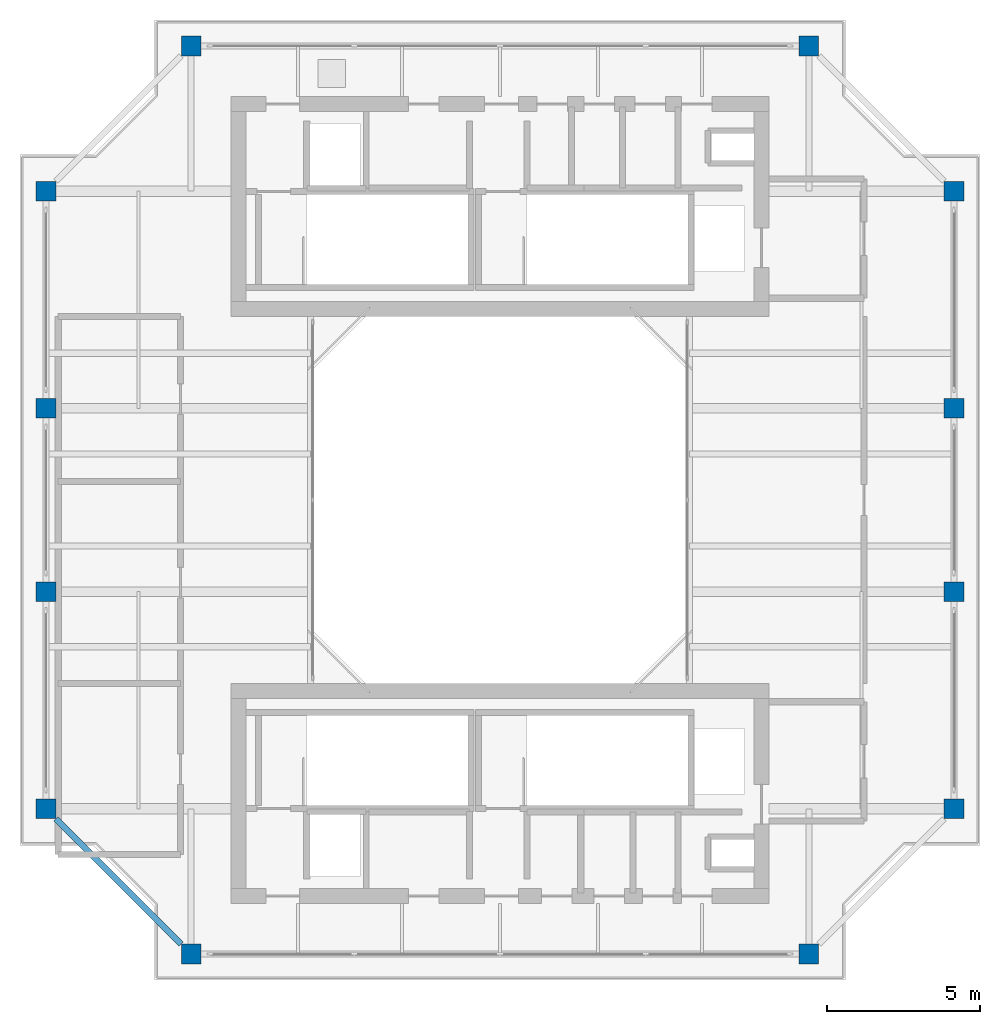
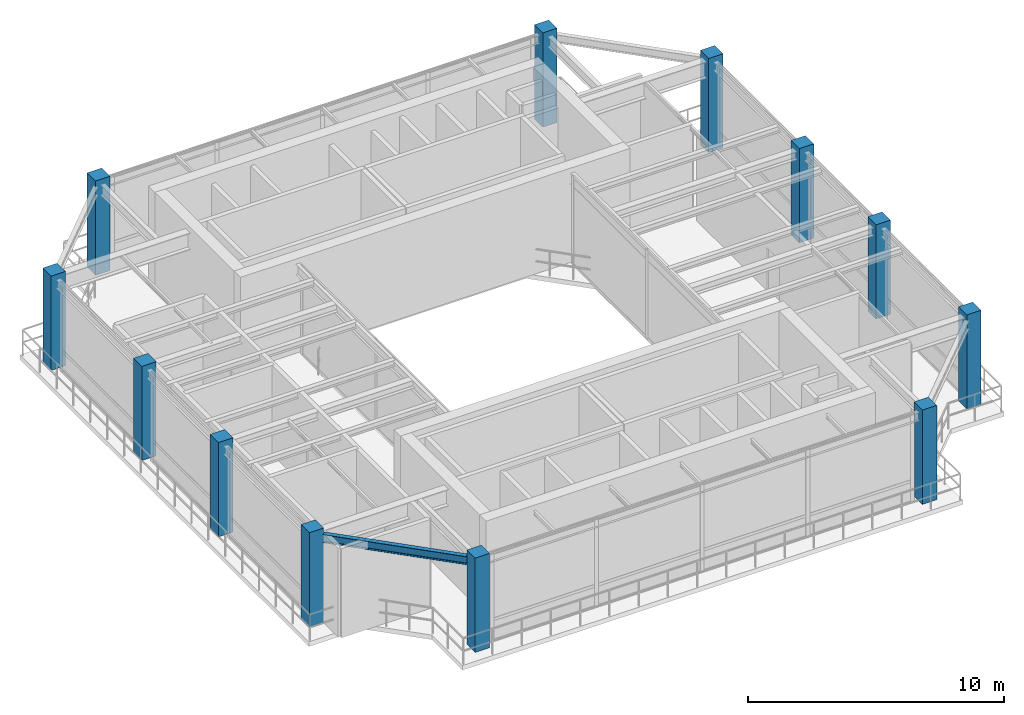
# One storey, part 1 of 9: 12 columns, 1 beam.
"""IFC4 building model written with IfcOpenShell, lengths in metres."""

from ifc_helpers import new_model, si_unit, direction, frame, origin, origin_2d, place, context, subcontext, project, spatial, rectangle, i_section, extrude, source, transform, mapped, material, material_profile, profile_set, type_object, element, save


model = new_model("IFC4")

# Units and contexts
model_context = context("Model", 3, precision=1e-05, world=origin(), true_north=direction((0.0, 1.0)))
body_context = subcontext(model_context, "Body", "Model", "MODEL_VIEW")
ifc_project = project(units=[si_unit("LENGTHUNIT", "METRE"), si_unit("AREAUNIT", "SQUARE_METRE"), si_unit("VOLUMEUNIT", "CUBIC_METRE"), si_unit("PLANEANGLEUNIT", "RADIAN"), si_unit("MASSUNIT", "GRAM", prefix="KILO"), si_unit("THERMODYNAMICTEMPERATUREUNIT", "KELVIN"), si_unit("POWERUNIT", "WATT")], contexts=[model_context])

# Site, building, storey
site_placement = place(None, origin())
site = spatial("IfcSite", under=ifc_project, at=site_placement, CompositionType="ELEMENT")
building_placement = place(site_placement, origin())
building = spatial("IfcBuilding", under=site, at=building_placement, Name="Qiaomeng Ring Towers", CompositionType="ELEMENT")
storey_placement = place(building_placement, frame((0.0, 0.0, 263.25)))
storey = spatial("IfcBuildingStorey", under=building, at=storey_placement, Name="L77", CompositionType="ELEMENT", Elevation=263.25)

# Columns
ifc_material_1 = material(Name="Concrete C40", Category="concrete")
ifc_material_profile_1 = material_profile(ifc_material_1, rectangle(XDim=0.64990234375, YDim=0.64990234375, at=origin_2d()), Name="RC COL 650x650")
ifc_profile_set_1 = profile_set([ifc_material_profile_1], Name="Concrete C40")
column_type = type_object("IfcColumnType", Name="STR-COL-650-C40", PredefinedType="COLUMN", material=ifc_profile_set_1)
shared_shape_1 = source(origin(), body_context, "Body", "SweptSolid", [
    extrude(rectangle(XDim=0.64990234375, YDim=0.64990234375, at=origin_2d()), origin(), (0.0, 0.0, 1.0), 4.5),
])
for number, where, z_axis, x_axis, name in (
    (1, (8.89990234375, 8.14990234375, 0.0), (0.0, 0.0, 1.0), (1.0, 0.0, 0.0), "L77 column STR-COL-L77-T1-S1"),
    (2, (29.10009765625, 8.14990234375, 0.0), (0.0, 0.0, 1.0), (1.0, 0.0, 0.0), "L77 column STR-COL-L77-T1-S2"),
    (3, (33.85009765625, 12.89990234375, 0.0), (0.0, 0.0, 1.0), (1.0, 0.0, 0.0), "L77 column STR-COL-L77-T1-E1"),
    (4, (33.85009765625, 20.0, 0.0), (0.0, 0.0, 1.0), (1.0, 0.0, 0.0), "L77 column STR-COL-L77-T1-E2"),
    (5, (33.85009765625, 26.0, 0.0), (0.0, 0.0, 1.0), (1.0, 0.0, 0.0), "L77 column STR-COL-L77-T1-E3"),
    (6, (33.85009765625, 33.10009765625, 0.0), (0.0, 0.0, 1.0), (1.0, 0.0, 0.0), "L77 column STR-COL-L77-T1-E4"),
    (7, (29.10009765625, 37.85009765625, 0.0), (0.0, 0.0, 1.0), (1.0, 0.0, 0.0), "L77 column STR-COL-L77-T1-N2"),
    (8, (8.89990234375, 37.85009765625, 0.0), (0.0, 0.0, 1.0), (1.0, 0.0, 0.0), "L77 column STR-COL-L77-T1-N1"),
    (9, (4.14990234375, 33.10009765625, 0.0), (0.0, 0.0, 1.0), (1.0, 0.0, 0.0), "L77 column STR-COL-L77-T1-W4"),
    (10, (4.14990234375, 26.0, 0.0), (0.0, 0.0, 1.0), (1.0, 0.0, 0.0), "L77 column STR-COL-L77-T1-W3"),
    (11, (4.14990234375, 20.0, 0.0), (0.0, 0.0, 1.0), (1.0, 0.0, 0.0), "L77 column STR-COL-L77-T1-W2"),
    (12, (4.14990234375, 12.89990234375, 0.0), (0.0, 0.0, 1.0), (1.0, 0.0, 0.0), "L77 column STR-COL-L77-T1-W1"),
):
    element("IfcColumn", number, at=place(storey_placement, frame(where, z_axis=z_axis, x_axis=x_axis)), inside=storey, type_object=column_type, Name=name, PredefinedType="COLUMN", context=body_context, shape_type="MappedRepresentation", body=[
        mapped(shared_shape_1, transform((0.0, 0.0, 0.0), x_axis=(1.0, 0.0, 0.0), y_axis=(0.0, 1.0, 0.0), z_axis=(0.0, 0.0, 1.0), scale=1.0)),
    ])

# Beam
ifc_material_2 = material(Name="Steel Q355B", Category="steel")
ifc_material_profile_2 = material_profile(ifc_material_2, i_section(OverallWidth=0.198974609375, OverallDepth=0.39599609375, WebThickness=0.007080078125, FlangeThickness=0.010986328125, FilletRadius=0.01611328125, at=origin_2d()), Name="HN 396x199x7x11")
ifc_profile_set_2 = profile_set([ifc_material_profile_2], Name="Steel Q355B")
beam_type = type_object("IfcBeamType", Name="STR-BM-HN396", PredefinedType="SPANDREL", material=ifc_profile_set_2)
shared_shape_2 = source(origin(), body_context, "Body", "SweptSolid", [
    extrude(i_section(OverallWidth=0.198974609375, OverallDepth=0.39599609375, WebThickness=0.007080078125, FlangeThickness=0.010986328125, FilletRadius=0.01611328125, at=origin_2d()), origin(), (0.0, 0.0, 1.0), 5.800048828125),
])
beam_placement = place(storey_placement, frame((4.474365234375, 12.57568359375, 4.052001953125), z_axis=(0.707106781187, -0.707106781187, 0.0), x_axis=(0.707106781187, 0.707106781187, 0.0)))
element("IfcBeam", 13, at=beam_placement, inside=storey, type_object=beam_type, Name="L77 beam STR-SP-L77-T1-W1-S1", PredefinedType="SPANDREL", context=body_context, shape_type="MappedRepresentation", body=[
    mapped(shared_shape_2, transform((0.0, 0.0, 0.0), x_axis=(1.0, 0.0, 0.0), y_axis=(0.0, 1.0, 0.0), z_axis=(0.0, 0.0, 1.0), scale=1.0)),
])

save(model, "model.ifc")
